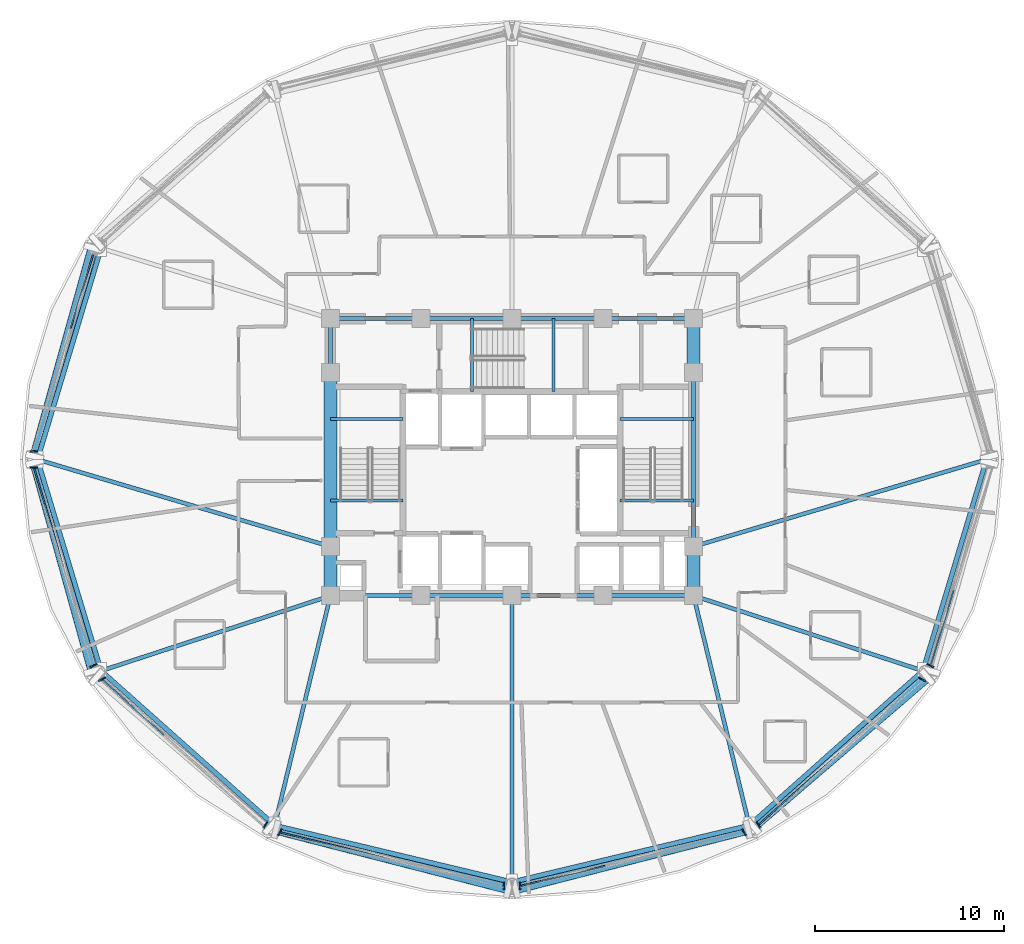
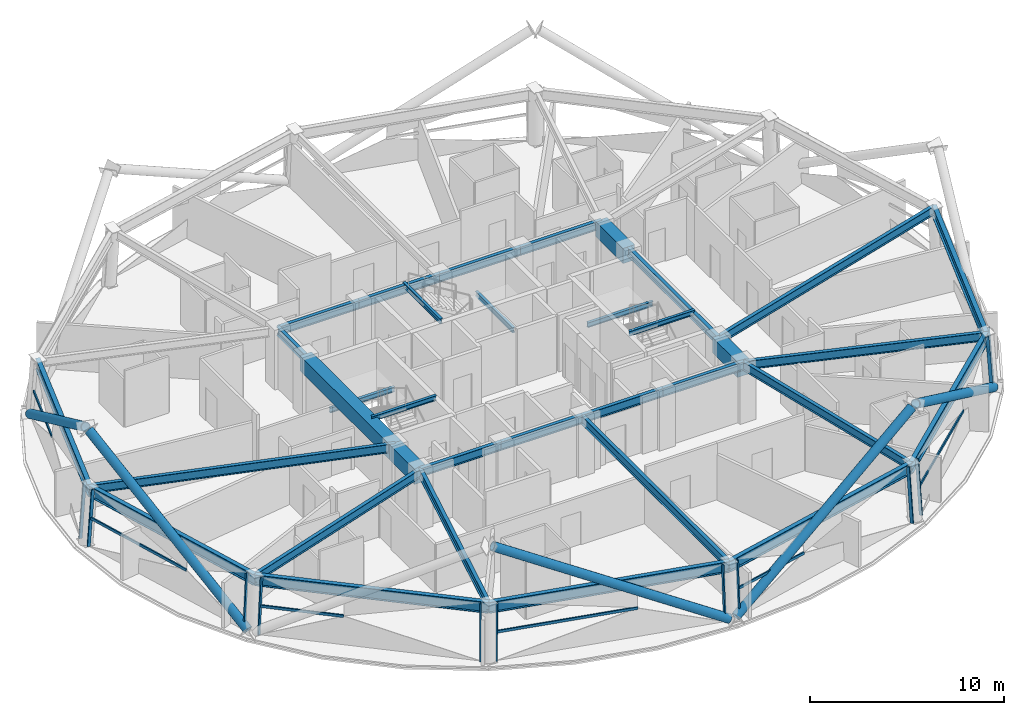
# One storey, part 2 of 13: 34 beams, 24 members, 7 elements without a shape of their own.
"""IFC4 building model written with IfcOpenShell, lengths in metres."""

from ifc_helpers import new_model, si_unit, direction, frame, origin, origin_2d, place, context, subcontext, project, spatial, rectangle, hollow_rectangle, hollow_circle, i_section, extrude, material, layer, layer_set, material_profile, profile_set, type_object, element, aggregate, save


model = new_model("IFC4")

# Units and contexts
model_context = context("Model", 3, precision=1e-05, world=origin(), true_north=direction((0.0, 1.0)))
body_context = subcontext(model_context, "Body", "Model", "MODEL_VIEW")
ifc_project = project(units=[si_unit("LENGTHUNIT", "METRE"), si_unit("AREAUNIT", "SQUARE_METRE"), si_unit("VOLUMEUNIT", "CUBIC_METRE"), si_unit("PLANEANGLEUNIT", "RADIAN"), si_unit("MASSUNIT", "GRAM", prefix="KILO")], contexts=[model_context])

# Site, building, storey
site_placement = place(None, origin())
site = spatial("IfcSite", under=ifc_project, at=site_placement, CompositionType="ELEMENT")
building_placement = place(site_placement, origin())
building = spatial("IfcBuilding", under=site, at=building_placement, Name="Vantalir Tower", CompositionType="ELEMENT")
storey_placement = place(building_placement, frame((0.0, 0.0, 127.199951171875)))
storey = spatial("IfcBuildingStorey", under=building, at=storey_placement, Name="L31", CompositionType="ELEMENT", Elevation=127.199951171875)

# Beams
ifc_material_1 = material(Name="Concrete C60/75", Category="concrete")
ifc_material_profile_1 = material_profile(ifc_material_1, rectangle(XDim=0.699951171875, YDim=0.949951171875, at=origin_2d()), Name="Concrete C60/75")
ifc_profile_set_1 = profile_set([ifc_material_profile_1], Name="Concrete C60/75")
beam_type_1 = type_object("IfcBeamType", Name="BM-CB-700x950", PredefinedType="USERDEFINED", material=ifc_profile_set_1)
beam_1_placement = place(storey_placement, frame((41.10009765625, 17.800048828125, 3.094970703125), z_axis=(0.0, 1.0, 0.0), x_axis=(-1.0, 0.0, 0.0)))
element("IfcBeam", 1, at=beam_1_placement, inside=storey, type_object=beam_type_1, Name="L31 Core Coupling Girder 05", ObjectType="GIRDER", PredefinedType="USERDEFINED", context=body_context, shape_type="SweptSolid", body=[
    extrude(rectangle(XDim=0.699951171875, YDim=0.949951171875, at=origin_2d()), origin(), (0.0, 0.0, 1.0), 2.599853515625),
])
beam_2_placement = place(storey_placement, frame((41.10009765625, 29.60009765625, 3.094970703125), z_axis=(0.0, 1.0, 0.0), x_axis=(-1.0, 0.0, 0.0)))
element("IfcBeam", 2, at=beam_2_placement, inside=storey, type_object=beam_type_1, Name="L31 Core Coupling Girder 07", ObjectType="GIRDER", PredefinedType="USERDEFINED", context=body_context, shape_type="SweptSolid", body=[
    extrude(rectangle(XDim=0.699951171875, YDim=0.949951171875, at=origin_2d()), origin(), (0.0, 0.0, 1.0), 2.849853515625),
])
beam_3_placement = place(storey_placement, frame((21.89990234375, 29.60009765625, 3.094970703125), z_axis=(0.0, -1.0, 0.0), x_axis=(1.0, 0.0, 0.0)))
element("IfcBeam", 3, at=beam_3_placement, inside=storey, type_object=beam_type_1, Name="L31 Core Coupling Girder 13", ObjectType="GIRDER", PredefinedType="USERDEFINED", context=body_context, shape_type="SweptSolid", body=[
    extrude(rectangle(XDim=0.699951171875, YDim=0.949951171875, at=origin_2d()), origin(), (0.0, 0.0, 1.0), 9.2001953125),
])
beam_4_placement = place(storey_placement, frame((21.89990234375, 20.39990234375, 3.094970703125), z_axis=(0.0, -1.0, 0.0), x_axis=(1.0, 0.0, 0.0)))
element("IfcBeam", 4, at=beam_4_placement, inside=storey, type_object=beam_type_1, Name="L31 Core Coupling Girder 14", ObjectType="GIRDER", PredefinedType="USERDEFINED", context=body_context, shape_type="SweptSolid", body=[
    extrude(rectangle(XDim=0.699951171875, YDim=0.949951171875, at=origin_2d()), origin(), (0.0, 0.0, 1.0), 2.599853515625),
])
ifc_material_2 = material(Name="Steel S355", Category="steel")
ifc_material_profile_2 = material_profile(ifc_material_2, i_section(OverallWidth=0.166015625, OverallDepth=0.306884765625, WebThickness=0.006591796875, FlangeThickness=0.01171875, at=origin_2d()), Name="Steel S355")
ifc_profile_set_2 = profile_set([ifc_material_profile_2], Name="Steel S355")
beam_type_2 = type_object("IfcBeamType", Name="BM-JS-305x165", PredefinedType="JOIST", material=ifc_profile_set_2)
for number, where, z_axis, x_axis, name in (
    (5, (21.89990234375, 22.8349609375, 3.595947265625), (1.0, 0.0, 0.0), (0.0, 1.0, 0.0), "L32 Stair ST1 Well Nosing Trimmer Beam"),
    (6, (21.89990234375, 27.14501953125, 1.52099609375), (1.0, 0.0, 0.0), (0.0, 1.0, 0.0), "L31 Stair ST1 Half-Landing Support Beam"),
):
    element("IfcBeam", number, at=place(storey_placement, frame(where, z_axis=z_axis, x_axis=x_axis)), inside=storey, type_object=beam_type_2, Name=name, PredefinedType="JOIST", context=body_context, shape_type="SweptSolid", body=[
        extrude(i_section(OverallWidth=0.166015625, OverallDepth=0.306884765625, WebThickness=0.006591796875, FlangeThickness=0.01171875, at=origin_2d()), origin(), (0.0, 0.0, 1.0), 3.840087890625),
    ])
for number, where, z_axis, x_axis, name in (
    (7, (37.2099609375, 22.8349609375, 3.595947265625), (1.0, 0.0, 0.0), (0.0, 1.0, 0.0), "L32 Stair ST2 Well Nosing Trimmer Beam"),
    (8, (37.2099609375, 27.14501953125, 1.52099609375), (1.0, 0.0, 0.0), (0.0, 1.0, 0.0), "L31 Stair ST2 Half-Landing Support Beam"),
):
    element("IfcBeam", number, at=place(storey_placement, frame(where, z_axis=z_axis, x_axis=x_axis)), inside=storey, type_object=beam_type_2, Name=name, PredefinedType="JOIST", context=body_context, shape_type="SweptSolid", body=[
        extrude(i_section(OverallWidth=0.166015625, OverallDepth=0.306884765625, WebThickness=0.006591796875, FlangeThickness=0.01171875, at=origin_2d()), origin(), (0.0, 0.0, 1.0), 3.89013671875),
    ])
for number, where, z_axis, x_axis, name in (
    (9, (29.385009765625, 28.60009765625, 3.595947265625), (0.0, 1.0, 0.0), (-1.0, 0.0, 0.0), "L32 Stair ST3 Well Nosing Trimmer Beam"),
    (10, (33.695068359375, 28.60009765625, 1.52099609375), (0.0, 1.0, 0.0), (-1.0, 0.0, 0.0), "L31 Stair ST3 Half-Landing Support Beam"),
):
    element("IfcBeam", number, at=place(storey_placement, frame(where, z_axis=z_axis, x_axis=x_axis)), inside=storey, type_object=beam_type_2, Name=name, PredefinedType="JOIST", context=body_context, shape_type="SweptSolid", body=[
        extrude(i_section(OverallWidth=0.166015625, OverallDepth=0.306884765625, WebThickness=0.006591796875, FlangeThickness=0.01171875, at=origin_2d()), origin(), (0.0, 0.0, 1.0), 3.849853515625),
    ])
ifc_material_profile_3 = material_profile(ifc_material_2, i_section(OverallWidth=0.2109375, OverallDepth=0.5390625, WebThickness=0.01171875, FlangeThickness=0.018798828125, at=origin_2d()), Name="Steel S355")
ifc_profile_set_3 = profile_set([ifc_material_profile_3], Name="Steel S355")
beam_type_3 = type_object("IfcBeamType", Name="BM-RB-533x210", PredefinedType="BEAM", material=ifc_profile_set_3)
for number, where, z_axis, x_axis, name in (
    (11, (21.89990234375, 17.800048828125, 3.301025390625), (1.0, 0.0, 0.0), (0.0, 1.0, 0.0), "L31 Core Coupling Girder 01"),
    (12, (26.699951171875, 17.800048828125, 3.301025390625), (1.0, 0.0, 0.0), (0.0, 1.0, 0.0), "L31 Core Coupling Girder 02"),
    (13, (31.5, 17.800048828125, 3.301025390625), (1.0, 0.0, 0.0), (0.0, 1.0, 0.0), "L31 Core Coupling Girder 03"),
    (14, (36.300048828125, 17.800048828125, 3.301025390625), (1.0, 0.0, 0.0), (0.0, 1.0, 0.0), "L31 Core Coupling Girder 04"),
):
    element("IfcBeam", number, at=place(storey_placement, frame(where, z_axis=z_axis, x_axis=x_axis)), inside=storey, type_object=beam_type_3, Name=name, PredefinedType="BEAM", context=body_context, shape_type="SweptSolid", body=[
        extrude(i_section(OverallWidth=0.2109375, OverallDepth=0.5390625, WebThickness=0.01171875, FlangeThickness=0.018798828125, at=origin_2d()), origin(), (0.0, 0.0, 1.0), 4.800048828125),
    ])
beam_5_placement = place(storey_placement, frame((41.10009765625, 20.39990234375, 3.301025390625), z_axis=(0.0, 1.0, 0.0), x_axis=(-1.0, 0.0, 0.0)))
element("IfcBeam", 15, at=beam_5_placement, inside=storey, type_object=beam_type_3, Name="L31 Core Coupling Girder 06", PredefinedType="BEAM", context=body_context, shape_type="SweptSolid", body=[
    extrude(i_section(OverallWidth=0.2109375, OverallDepth=0.5390625, WebThickness=0.01171875, FlangeThickness=0.018798828125, at=origin_2d()), origin(), (0.0, 0.0, 1.0), 9.2001953125),
])
for number, where, z_axis, x_axis, name in (
    (16, (41.10009765625, 32.449951171875, 3.301025390625), (-1.0, 0.0, 0.0), (0.0, -1.0, 0.0), "L31 Core Coupling Girder 08"),
    (17, (36.300048828125, 32.449951171875, 3.301025390625), (-1.0, 0.0, 0.0), (0.0, -1.0, 0.0), "L31 Core Coupling Girder 09"),
    (18, (31.5, 32.449951171875, 3.301025390625), (-1.0, 0.0, 0.0), (0.0, -1.0, 0.0), "L31 Core Coupling Girder 10"),
    (19, (26.699951171875, 32.449951171875, 3.301025390625), (-1.0, 0.0, 0.0), (0.0, -1.0, 0.0), "L31 Core Coupling Girder 11"),
):
    element("IfcBeam", number, at=place(storey_placement, frame(where, z_axis=z_axis, x_axis=x_axis)), inside=storey, type_object=beam_type_3, Name=name, PredefinedType="BEAM", context=body_context, shape_type="SweptSolid", body=[
        extrude(i_section(OverallWidth=0.2109375, OverallDepth=0.5390625, WebThickness=0.01171875, FlangeThickness=0.018798828125, at=origin_2d()), origin(), (0.0, 0.0, 1.0), 4.800048828125),
    ])
beam_6_placement = place(storey_placement, frame((21.89990234375, 32.449951171875, 3.301025390625), z_axis=(0.0, -1.0, 0.0), x_axis=(1.0, 0.0, 0.0)))
element("IfcBeam", 20, at=beam_6_placement, inside=storey, type_object=beam_type_3, Name="L31 Core Coupling Girder 12", PredefinedType="BEAM", context=body_context, shape_type="SweptSolid", body=[
    extrude(i_section(OverallWidth=0.2109375, OverallDepth=0.5390625, WebThickness=0.01171875, FlangeThickness=0.018798828125, at=origin_2d()), origin(), (0.0, 0.0, 1.0), 2.849853515625),
])
for number, where, z_axis, x_axis, name in (
    (21, (56.593017578125, 25.0, 3.301025390625), (-0.958636111149, -0.284634513722, 0.0), (0.284634513722, -0.958636111149, 0.0), "L31 Radial Floor Beam 01"),
    (22, (6.406982421875, 25.0, 3.301025390625), (0.958636111149, -0.284634513722, 0.0), (0.284634513722, 0.958636111149, 0.0), "L31 Radial Floor Beam 07"),
):
    element("IfcBeam", number, at=place(storey_placement, frame(where, z_axis=z_axis, x_axis=x_axis)), inside=storey, type_object=beam_type_3, Name=name, PredefinedType="BEAM", context=body_context, shape_type="SweptSolid", body=[
        extrude(i_section(OverallWidth=0.2109375, OverallDepth=0.5390625, WebThickness=0.01171875, FlangeThickness=0.018798828125, at=origin_2d()), origin(), (0.0, 0.0, 1.0), 16.161376953125),
    ])
beam_7_placement = place(storey_placement, frame((9.76904296875, 13.826904296875, 3.301025390625), z_axis=(0.950326586156, 0.311254525501, 0.0), x_axis=(-0.311254525501, 0.950326586156, 0.0)))
element("IfcBeam", 23, at=beam_7_placement, inside=storey, type_object=beam_type_3, Name="L31 Radial Floor Beam 08", PredefinedType="BEAM", context=body_context, shape_type="SweptSolid", body=[
    extrude(i_section(OverallWidth=0.2109375, OverallDepth=0.5390625, WebThickness=0.01171875, FlangeThickness=0.018798828125, at=origin_2d()), origin(), (0.0, 0.0, 1.0), 12.764892578125),
])
beam_8_placement = place(storey_placement, frame((18.952880859375, 5.64892578125, 3.301025390625), z_axis=(0.235697823561, 0.971826391887, 0.0), x_axis=(-0.971826391887, 0.235697823561, 0.0)))
element("IfcBeam", 24, at=beam_8_placement, inside=storey, type_object=beam_type_3, Name="L31 Radial Floor Beam 09", PredefinedType="BEAM", context=body_context, shape_type="SweptSolid", body=[
    extrude(i_section(OverallWidth=0.2109375, OverallDepth=0.5390625, WebThickness=0.01171875, FlangeThickness=0.018798828125, at=origin_2d()), origin(), (0.0, 0.0, 1.0), 12.50341796875),
])
beam_9_placement = place(storey_placement, frame((31.5, 2.655029296875, 3.301025390625), z_axis=(0.0, 1.0, 0.0), x_axis=(-1.0, 0.0, 0.0)))
element("IfcBeam", 25, at=beam_9_placement, inside=storey, type_object=beam_type_3, Name="L31 Radial Floor Beam 10", PredefinedType="BEAM", context=body_context, shape_type="SweptSolid", body=[
    extrude(i_section(OverallWidth=0.2109375, OverallDepth=0.5390625, WebThickness=0.01171875, FlangeThickness=0.018798828125, at=origin_2d()), origin(), (0.0, 0.0, 1.0), 15.14501953125),
])
beam_10_placement = place(storey_placement, frame((44.047119140625, 5.64892578125, 3.301025390625), z_axis=(-0.235697823561, 0.971826391887, 0.0), x_axis=(-0.971826391887, -0.235697823561, 0.0)))
element("IfcBeam", 26, at=beam_10_placement, inside=storey, type_object=beam_type_3, Name="L31 Radial Floor Beam 11", PredefinedType="BEAM", context=body_context, shape_type="SweptSolid", body=[
    extrude(i_section(OverallWidth=0.2109375, OverallDepth=0.5390625, WebThickness=0.01171875, FlangeThickness=0.018798828125, at=origin_2d()), origin(), (0.0, 0.0, 1.0), 12.50341796875),
])
beam_11_placement = place(storey_placement, frame((53.23095703125, 13.826904296875, 3.301025390625), z_axis=(-0.950326586156, 0.311254525501, 0.0), x_axis=(-0.311254525501, -0.950326586156, 0.0)))
element("IfcBeam", 27, at=beam_11_placement, inside=storey, type_object=beam_type_3, Name="L31 Radial Floor Beam 12", PredefinedType="BEAM", context=body_context, shape_type="SweptSolid", body=[
    extrude(i_section(OverallWidth=0.2109375, OverallDepth=0.5390625, WebThickness=0.01171875, FlangeThickness=0.018798828125, at=origin_2d()), origin(), (0.0, 0.0, 1.0), 12.764892578125),
])
ifc_material_3 = material(Name="Steel S460", Category="steel")
ifc_material_profile_4 = material_profile(ifc_material_3, i_section(OverallWidth=0.256103515625, OverallDepth=0.693115234375, WebThickness=0.014404296875, FlangeThickness=0.023681640625, at=origin_2d()), Name="Steel S460")
ifc_profile_set_4 = profile_set([ifc_material_profile_4], Name="Steel S460")
beam_type_4 = type_object("IfcBeamType", Name="BM-RG-686x254", PredefinedType="USERDEFINED", material=ifc_profile_set_4)
beam_12_placement = place(storey_placement, frame((9.76904296875, 36.172119140625, 3.22412109375), z_axis=(-0.288167529417, -0.957580009706, 0.0), x_axis=(0.957580009706, -0.288167529417, 0.0)))
element("IfcBeam", 28, at=beam_12_placement, inside=storey, type_object=beam_type_4, Name="L31 Circumferential Ring Girder 06", ObjectType="GIRDER", PredefinedType="USERDEFINED", context=body_context, shape_type="SweptSolid", body=[
    extrude(i_section(OverallWidth=0.256103515625, OverallDepth=0.693115234375, WebThickness=0.014404296875, FlangeThickness=0.023681640625, at=origin_2d()), origin(), (0.0, 0.0, 1.0), 11.6669921875),
])
beam_13_placement = place(storey_placement, frame((6.406982421875, 25.0, 3.22412109375), z_axis=(0.288144433967, -0.957586959588, 0.0), x_axis=(0.957586959588, 0.288144433967, 0.0)))
element("IfcBeam", 29, at=beam_13_placement, inside=storey, type_object=beam_type_4, Name="L31 Circumferential Ring Girder 07", ObjectType="GIRDER", PredefinedType="USERDEFINED", context=body_context, shape_type="SweptSolid", body=[
    extrude(i_section(OverallWidth=0.256103515625, OverallDepth=0.693115234375, WebThickness=0.014404296875, FlangeThickness=0.023681640625, at=origin_2d()), origin(), (0.0, 0.0, 1.0), 11.66796875),
])
beam_14_placement = place(storey_placement, frame((9.76904296875, 13.826904296875, 3.22412109375), z_axis=(0.746820820992, -0.665025308791, 0.0), x_axis=(0.665025308791, 0.746820820992, 0.0)))
element("IfcBeam", 30, at=beam_14_placement, inside=storey, type_object=beam_type_4, Name="L31 Circumferential Ring Girder 08", ObjectType="GIRDER", PredefinedType="USERDEFINED", context=body_context, shape_type="SweptSolid", body=[
    extrude(i_section(OverallWidth=0.256103515625, OverallDepth=0.693115234375, WebThickness=0.014404296875, FlangeThickness=0.023681640625, at=origin_2d()), origin(), (0.0, 0.0, 1.0), 12.29736328125),
])
for number, where, z_axis, x_axis, name in (
    (31, (18.952880859375, 5.64892578125, 3.22412109375), (0.972692782587, -0.232096425444, 0.0), (0.232096425444, 0.972692782587, 0.0), "L31 Circumferential Ring Girder 09"),
    (32, (31.5, 2.655029296875, 3.22412109375), (0.972692782587, 0.232096425444, 0.0), (-0.232096425444, 0.972692782587, 0.0), "L31 Circumferential Ring Girder 10"),
):
    element("IfcBeam", number, at=place(storey_placement, frame(where, z_axis=z_axis, x_axis=x_axis)), inside=storey, type_object=beam_type_4, Name=name, ObjectType="GIRDER", PredefinedType="USERDEFINED", context=body_context, shape_type="SweptSolid", body=[
        extrude(i_section(OverallWidth=0.256103515625, OverallDepth=0.693115234375, WebThickness=0.014404296875, FlangeThickness=0.023681640625, at=origin_2d()), origin(), (0.0, 0.0, 1.0), 12.8994140625),
    ])
beam_15_placement = place(storey_placement, frame((44.047119140625, 5.64892578125, 3.22412109375), z_axis=(0.746820820992, 0.665025308791, 0.0), x_axis=(-0.665025308791, 0.746820820992, 0.0)))
element("IfcBeam", 33, at=beam_15_placement, inside=storey, type_object=beam_type_4, Name="L31 Circumferential Ring Girder 11", ObjectType="GIRDER", PredefinedType="USERDEFINED", context=body_context, shape_type="SweptSolid", body=[
    extrude(i_section(OverallWidth=0.256103515625, OverallDepth=0.693115234375, WebThickness=0.014404296875, FlangeThickness=0.023681640625, at=origin_2d()), origin(), (0.0, 0.0, 1.0), 12.29736328125),
])
beam_16_placement = place(storey_placement, frame((53.23095703125, 13.826904296875, 3.22412109375), z_axis=(0.288144433967, 0.957586959588, 0.0), x_axis=(-0.957586959588, 0.288144433967, 0.0)))
element("IfcBeam", 34, at=beam_16_placement, inside=storey, type_object=beam_type_4, Name="L31 Circumferential Ring Girder 12", ObjectType="GIRDER", PredefinedType="USERDEFINED", context=body_context, shape_type="SweptSolid", body=[
    extrude(i_section(OverallWidth=0.256103515625, OverallDepth=0.693115234375, WebThickness=0.014404296875, FlangeThickness=0.023681640625, at=origin_2d()), origin(), (0.0, 0.0, 1.0), 11.66796875),
])

# Curtain wall, member
ifc_material_4 = material(Name="Champagne-silver PVDF aluminium and double-silver Low-E glass", Category="aluminium")
ifc_layer = layer(ifc_material_4, 0.199951171875)
ifc_layer_set = layer_set([ifc_layer], Name="Champagne-silver PVDF aluminium and double-silver Low-E glass")
curtain_wall_type = type_object("IfcCurtainWallType", Name="CW-DIAMOND-Z2", PredefinedType="USERDEFINED", material=ifc_layer_set)
curtain_wall_1_placement = place(storey_placement, origin())
curtain_wall_1 = element("IfcCurtainWall", 35, at=curtain_wall_1_placement, inside=storey, type_object=curtain_wall_type, Name="L31 Quilted Pyramid-Diamond Curtain Wall S06", ObjectType="UNITISED CURTAIN WALL", PredefinedType="USERDEFINED")
ifc_material_5 = material(Name="Champagne-silver PVDF aluminium 6063-T6", Category="aluminium")
ifc_material_profile_5 = material_profile(ifc_material_5, hollow_rectangle(XDim=0.074951171875, YDim=0.179931640625, WallThickness=0.00390625, at=origin_2d()), Name="Champagne-silver PVDF aluminium 6063-T6")
ifc_profile_set_5 = profile_set([ifc_material_profile_5], Name="Champagne-silver PVDF aluminium 6063-T6")
member_type_1 = type_object("IfcMemberType", Name="CWM-180x75", PredefinedType="MULLION", material=ifc_profile_set_5)
member_1_placement = place(storey_placement, frame((6.096923828125, 25.4208984375, 0.045166015625), z_axis=(0.070819350884, 0.0, 0.997489157605), x_axis=(0.0, 1.0, 0.0)))
member_1 = element("IfcMember", 36, at=member_1_placement, type_object=member_type_1, Name="CW-L31-S06 Mullion 2", PredefinedType="MULLION", context=body_context, shape_type="SweptSolid", body=[
    extrude(hollow_rectangle(XDim=0.074951171875, YDim=0.179931640625, WallThickness=0.00390625, at=origin_2d()), origin(), (0.0, 0.0, 1.0), 3.48876953125),
])

# Curtain wall, members
curtain_wall_2_placement = place(storey_placement, origin())
curtain_wall_2 = element("IfcCurtainWall", 37, at=curtain_wall_2_placement, inside=storey, type_object=curtain_wall_type, Name="L31 Quilted Pyramid-Diamond Curtain Wall S07", ObjectType="UNITISED CURTAIN WALL", PredefinedType="USERDEFINED")
member_2_placement = place(storey_placement, frame((6.096923828125, 24.5791015625, 0.045166015625), z_axis=(0.070819350884, 0.0, 0.997489157605), x_axis=(0.0, 1.0, 0.0)))
member_2 = element("IfcMember", 38, at=member_2_placement, type_object=member_type_1, Name="CW-L31-S07 Mullion 1", PredefinedType="MULLION", context=body_context, shape_type="SweptSolid", body=[
    extrude(hollow_rectangle(XDim=0.074951171875, YDim=0.179931640625, WallThickness=0.00390625, at=origin_2d()), origin(), (0.0, 0.0, 1.0), 3.48876953125),
])
member_3_placement = place(storey_placement, frame((9.262939453125, 14.04296875, 0.045166015625), z_axis=(0.061379863173, 0.031564787105, 0.997615244777), x_axis=(-0.457325100357, 0.889299585395, 0.0)))
member_3 = element("IfcMember", 39, at=member_3_placement, type_object=member_type_1, Name="CW-L31-S07 Mullion 2", PredefinedType="MULLION", context=body_context, shape_type="SweptSolid", body=[
    extrude(hollow_rectangle(XDim=0.074951171875, YDim=0.179931640625, WallThickness=0.00390625, at=origin_2d()), origin(), (0.0, 0.0, 1.0), 3.48828125),
])

curtain_wall_3_placement = place(storey_placement, origin())
curtain_wall_3 = element("IfcCurtainWall", 40, at=curtain_wall_3_placement, inside=storey, type_object=curtain_wall_type, Name="L31 Quilted Pyramid-Diamond Curtain Wall S08", ObjectType="UNITISED CURTAIN WALL", PredefinedType="USERDEFINED")
member_4_placement = place(storey_placement, frame((9.718017578125, 13.3291015625, 0.045166015625), z_axis=(0.061310273259, 0.031495003387, 0.997621729492), x_axis=(-0.456934981397, 0.88950009712, 0.0)))
member_4 = element("IfcMember", 41, at=member_4_placement, type_object=member_type_1, Name="CW-L31-S08 Mullion 1", PredefinedType="MULLION", context=body_context, shape_type="SweptSolid", body=[
    extrude(hollow_rectangle(XDim=0.074951171875, YDim=0.179931640625, WallThickness=0.00390625, at=origin_2d()), origin(), (0.0, 0.0, 1.0), 3.48828125),
])
member_5_placement = place(storey_placement, frame((18.406982421875, 5.5859375, 0.045166015625), z_axis=(0.035283286034, 0.054815105089, 0.997872934787), x_axis=(-0.840864304793, 0.541245989292, 0.0)))
member_5 = element("IfcMember", 42, at=member_5_placement, type_object=member_type_1, Name="CW-L31-S08 Mullion 2", PredefinedType="MULLION", context=body_context, shape_type="SweptSolid", body=[
    extrude(hollow_rectangle(XDim=0.074951171875, YDim=0.179931640625, WallThickness=0.00390625, at=origin_2d()), origin(), (0.0, 0.0, 1.0), 3.4873046875),
])

curtain_wall_4_placement = place(storey_placement, origin())
curtain_wall_4 = element("IfcCurtainWall", 43, at=curtain_wall_4_placement, inside=storey, type_object=curtain_wall_type, Name="L31 Quilted Pyramid-Diamond Curtain Wall S09", ObjectType="UNITISED CURTAIN WALL", PredefinedType="USERDEFINED")
member_6_placement = place(storey_placement, frame((19.1630859375, 5.19091796875, 0.045166015625), z_axis=(0.035213366407, 0.054815240352, 0.997875397157), x_axis=(-0.841352993355, 0.540486022551, 0.0)))
member_6 = element("IfcMember", 44, at=member_6_placement, type_object=member_type_1, Name="CW-L31-S09 Mullion 1", PredefinedType="MULLION", context=body_context, shape_type="SweptSolid", body=[
    extrude(hollow_rectangle(XDim=0.074951171875, YDim=0.179931640625, WallThickness=0.00390625, at=origin_2d()), origin(), (0.0, 0.0, 1.0), 3.4873046875),
])
member_7_placement = place(storey_placement, frame((31.072021484375, 2.345947265625, 0.045166015625), z_axis=(0.0, 0.063363366299, 0.997990522907), x_axis=(-1.0, 0.0, 0.0)))
member_7 = element("IfcMember", 45, at=member_7_placement, type_object=member_type_1, Name="CW-L31-S09 Mullion 2", PredefinedType="MULLION", context=body_context, shape_type="SweptSolid", body=[
    extrude(hollow_rectangle(XDim=0.074951171875, YDim=0.179931640625, WallThickness=0.00390625, at=origin_2d()), origin(), (0.0, 0.0, 1.0), 3.487060546875),
])

curtain_wall_5_placement = place(storey_placement, origin())
curtain_wall_5 = element("IfcCurtainWall", 46, at=curtain_wall_5_placement, inside=storey, type_object=curtain_wall_type, Name="L31 Quilted Pyramid-Diamond Curtain Wall S10", ObjectType="UNITISED CURTAIN WALL", PredefinedType="USERDEFINED")
member_8_placement = place(storey_placement, frame((31.927978515625, 2.345947265625, 0.045166015625), z_axis=(0.0, 0.063363366299, 0.997990522907), x_axis=(-1.0, 0.0, 0.0)))
member_8 = element("IfcMember", 47, at=member_8_placement, type_object=member_type_1, Name="CW-L31-S10 Mullion 1", PredefinedType="MULLION", context=body_context, shape_type="SweptSolid", body=[
    extrude(hollow_rectangle(XDim=0.074951171875, YDim=0.179931640625, WallThickness=0.00390625, at=origin_2d()), origin(), (0.0, 0.0, 1.0), 3.487060546875),
])
member_9_placement = place(storey_placement, frame((43.8369140625, 5.19091796875, 0.045166015625), z_axis=(-0.035213366407, 0.054815240352, 0.997875397157), x_axis=(-0.841352993355, -0.540486022551, 0.0)))
member_9 = element("IfcMember", 48, at=member_9_placement, type_object=member_type_1, Name="CW-L31-S10 Mullion 2", PredefinedType="MULLION", context=body_context, shape_type="SweptSolid", body=[
    extrude(hollow_rectangle(XDim=0.074951171875, YDim=0.179931640625, WallThickness=0.00390625, at=origin_2d()), origin(), (0.0, 0.0, 1.0), 3.4873046875),
])

curtain_wall_6_placement = place(storey_placement, origin())
curtain_wall_6 = element("IfcCurtainWall", 49, at=curtain_wall_6_placement, inside=storey, type_object=curtain_wall_type, Name="L31 Quilted Pyramid-Diamond Curtain Wall S11", ObjectType="UNITISED CURTAIN WALL", PredefinedType="USERDEFINED")
member_10_placement = place(storey_placement, frame((44.593017578125, 5.5859375, 0.045166015625), z_axis=(-0.035283286034, 0.054815105089, 0.997872934787), x_axis=(-0.840864304793, -0.541245989292, 0.0)))
member_10 = element("IfcMember", 50, at=member_10_placement, type_object=member_type_1, Name="CW-L31-S11 Mullion 1", PredefinedType="MULLION", context=body_context, shape_type="SweptSolid", body=[
    extrude(hollow_rectangle(XDim=0.074951171875, YDim=0.179931640625, WallThickness=0.00390625, at=origin_2d()), origin(), (0.0, 0.0, 1.0), 3.4873046875),
])
member_11_placement = place(storey_placement, frame((53.281982421875, 13.3291015625, 0.045166015625), z_axis=(-0.061310273259, 0.031495003387, 0.997621729492), x_axis=(-0.456934981397, -0.88950009712, 0.0)))
member_11 = element("IfcMember", 51, at=member_11_placement, type_object=member_type_1, Name="CW-L31-S11 Mullion 2", PredefinedType="MULLION", context=body_context, shape_type="SweptSolid", body=[
    extrude(hollow_rectangle(XDim=0.074951171875, YDim=0.179931640625, WallThickness=0.00390625, at=origin_2d()), origin(), (0.0, 0.0, 1.0), 3.48828125),
])

# Curtain wall, member
curtain_wall_7_placement = place(storey_placement, origin())
curtain_wall_7 = element("IfcCurtainWall", 52, at=curtain_wall_7_placement, inside=storey, type_object=curtain_wall_type, Name="L31 Quilted Pyramid-Diamond Curtain Wall S12", ObjectType="UNITISED CURTAIN WALL", PredefinedType="USERDEFINED")
member_12_placement = place(storey_placement, frame((53.737060546875, 14.04296875, 0.045166015625), z_axis=(-0.061379863173, 0.031564787105, 0.997615244777), x_axis=(-0.457325100357, -0.889299585395, 0.0)))
member_12 = element("IfcMember", 53, at=member_12_placement, type_object=member_type_1, Name="CW-L31-S12 Mullion 1", PredefinedType="MULLION", context=body_context, shape_type="SweptSolid", body=[
    extrude(hollow_rectangle(XDim=0.074951171875, YDim=0.179931640625, WallThickness=0.00390625, at=origin_2d()), origin(), (0.0, 0.0, 1.0), 3.48828125),
])

# Member
ifc_material_profile_6 = material_profile(ifc_material_5, hollow_rectangle(XDim=0.074951171875, YDim=0.159912109375, WallThickness=0.00390625, at=origin_2d()), Name="Champagne-silver PVDF aluminium 6063-T6")
ifc_profile_set_6 = profile_set([ifc_material_profile_6], Name="Champagne-silver PVDF aluminium 6063-T6")
member_type_2 = type_object("IfcMemberType", Name="CWT-160x75", PredefinedType="USERDEFINED", material=ifc_profile_set_6)
member_13_placement = place(storey_placement, frame((9.3701171875, 35.90087890625, 1.78515625), z_axis=(-0.293466879709, -0.955969241406, 0.0), x_axis=(0.955969241406, -0.293466879709, 0.0)))
member_13 = element("IfcMember", 54, at=member_13_placement, type_object=member_type_2, Name="CW-L31-S06 Pyramid Fold Ridge Transom", ObjectType="TRANSOM", PredefinedType="USERDEFINED", context=body_context, shape_type="SweptSolid", body=[
    extrude(hollow_rectangle(XDim=0.074951171875, YDim=0.159912109375, WallThickness=0.00390625, at=origin_2d()), origin(), (0.0, 0.0, 1.0), 4.157958984375),
])

aggregate(curtain_wall_1, [member_1, member_13])

member_14_placement = place(storey_placement, frame((6.219970703125, 24.5791015625, 1.78515625), z_axis=(0.284425203205, -0.958698233952, 0.0), x_axis=(0.958698233952, 0.284425203205, 0.0)))
member_14 = element("IfcMember", 55, at=member_14_placement, type_object=member_type_2, Name="CW-L31-S07 Pyramid Fold Ridge Transom", ObjectType="TRANSOM", PredefinedType="USERDEFINED", context=body_context, shape_type="SweptSolid", body=[
    extrude(hollow_rectangle(XDim=0.074951171875, YDim=0.159912109375, WallThickness=0.00390625, at=origin_2d()), origin(), (0.0, 0.0, 1.0), 6.785400390625),
])

aggregate(curtain_wall_2, [member_2, member_3, member_14])

member_15_placement = place(storey_placement, frame((9.824951171875, 13.384033203125, 1.78515625), z_axis=(0.742995820714, -0.669296055869, 0.0), x_axis=(0.669296055869, 0.742995820714, 0.0)))
member_15 = element("IfcMember", 56, at=member_15_placement, type_object=member_type_2, Name="CW-L31-S08 Pyramid Fold Ridge Transom", ObjectType="TRANSOM", PredefinedType="USERDEFINED", context=body_context, shape_type="SweptSolid", body=[
    extrude(hollow_rectangle(XDim=0.074951171875, YDim=0.159912109375, WallThickness=0.00390625, at=origin_2d()), origin(), (0.0, 0.0, 1.0), 4.395751953125),
])

aggregate(curtain_wall_3, [member_4, member_5, member_15])

member_16_placement = place(storey_placement, frame((19.22412109375, 5.285888671875, 1.78515625), z_axis=(0.971933029373, -0.235257702134, 0.0), x_axis=(0.235257702134, 0.971933029373, 0.0)))
member_16 = element("IfcMember", 57, at=member_16_placement, type_object=member_type_2, Name="CW-L31-S09 Pyramid Fold Ridge Transom", ObjectType="TRANSOM", PredefinedType="USERDEFINED", context=body_context, shape_type="SweptSolid", body=[
    extrude(hollow_rectangle(XDim=0.074951171875, YDim=0.159912109375, WallThickness=0.00390625, at=origin_2d()), origin(), (0.0, 0.0, 1.0), 7.552734375),
])

aggregate(curtain_wall_4, [member_6, member_7, member_16])

member_17_placement = place(storey_placement, frame((31.927978515625, 2.45703125, 1.78515625), z_axis=(0.973824475954, 0.227301319911, 0.0), x_axis=(-0.227301319911, 0.973824475954, 0.0)))
member_17 = element("IfcMember", 58, at=member_17_placement, type_object=member_type_2, Name="CW-L31-S10 Pyramid Fold Ridge Transom", ObjectType="TRANSOM", PredefinedType="USERDEFINED", context=body_context, shape_type="SweptSolid", body=[
    extrude(hollow_rectangle(XDim=0.074951171875, YDim=0.159912109375, WallThickness=0.00390625, at=origin_2d()), origin(), (0.0, 0.0, 1.0), 4.628173828125),
])

aggregate(curtain_wall_5, [member_8, member_9, member_17])

member_18_placement = place(storey_placement, frame((44.531982421875, 5.680908203125, 1.78515625), z_axis=(0.748688925701, 0.662921482932, 0.0), x_axis=(-0.662921482932, 0.748688925701, 0.0)))
member_18 = element("IfcMember", 59, at=member_18_placement, type_object=member_type_2, Name="CW-L31-S11 Pyramid Fold Ridge Transom", ObjectType="TRANSOM", PredefinedType="USERDEFINED", context=body_context, shape_type="SweptSolid", body=[
    extrude(hollow_rectangle(XDim=0.074951171875, YDim=0.159912109375, WallThickness=0.00390625, at=origin_2d()), origin(), (0.0, 0.0, 1.0), 7.181884765625),
])

aggregate(curtain_wall_6, [member_10, member_11, member_18])

member_19_placement = place(storey_placement, frame((53.6298828125, 14.097900390625, 1.78515625), z_axis=(0.293384538028, 0.955994515071, 0.0), x_axis=(-0.955994515071, 0.293384538028, 0.0)))
member_19 = element("IfcMember", 60, at=member_19_placement, type_object=member_type_2, Name="CW-L31-S12 Pyramid Fold Ridge Transom", ObjectType="TRANSOM", PredefinedType="USERDEFINED", context=body_context, shape_type="SweptSolid", body=[
    extrude(hollow_rectangle(XDim=0.074951171875, YDim=0.159912109375, WallThickness=0.00390625, at=origin_2d()), origin(), (0.0, 0.0, 1.0), 4.1591796875),
])

aggregate(curtain_wall_7, [member_12, member_19])

# Members
ifc_material_profile_7 = material_profile(ifc_material_3, hollow_circle(Radius=0.260009765625, WallThickness=0.0380859375, at=origin_2d()), Name="Steel S460")
ifc_profile_set_7 = profile_set([ifc_material_profile_7], Name="Steel S460")
member_type_3 = type_object("IfcMemberType", Name="MEM-DB-520x38", PredefinedType="BRACE", material=ifc_profile_set_7)
for number, where, z_axis, x_axis, name in (
    (61, (9.339111328125, 36.197021484375, 0.194091796875), (-0.229645196485, -0.823757894569, 0.518349317417), (0.963269147263, -0.268537799819, 0.0), "L31 Perimeter S460 Diagrid Brace R16L"),
    (62, (9.339111328125, 13.802978515625, 0.194091796875), (-0.229645196485, 0.823757894569, 0.518349317417), (-0.963269147263, -0.268537799819, 0.0), "L31 Perimeter S460 Diagrid Brace R22R"),
):
    element("IfcMember", number, at=place(storey_placement, frame(where, z_axis=z_axis, x_axis=x_axis)), inside=storey, type_object=member_type_3, Name=name, PredefinedType="BRACE", context=body_context, shape_type="SweptSolid", body=[
        extrude(hollow_circle(Radius=0.260009765625, WallThickness=0.0380859375, at=origin_2d()), origin(), (0.0, 0.0, 1.0), 13.373046875),
    ])
for number, where, z_axis, x_axis, name in (
    (63, (31.68701171875, 2.2919921875, 0.18603515625), (0.849280536795, 0.217652432892, 0.480988553167), (-0.248255687522, 0.968694540922, 0.0), "L31 Perimeter S460 Diagrid Brace R28L"),
    (64, (31.31298828125, 2.2919921875, 0.18603515625), (-0.849280536795, 0.217652432892, 0.480988553167), (-0.248255687522, -0.968694540922, 0.0), "L31 Perimeter S460 Diagrid Brace R28R"),
):
    element("IfcMember", number, at=place(storey_placement, frame(where, z_axis=z_axis, x_axis=x_axis)), inside=storey, type_object=member_type_3, Name=name, PredefinedType="BRACE", context=body_context, shape_type="SweptSolid", body=[
        extrude(hollow_circle(Radius=0.260009765625, WallThickness=0.0380859375, at=origin_2d()), origin(), (0.0, 0.0, 1.0), 14.4453125),
    ])
member_20_placement = place(storey_placement, frame((53.465087890625, 13.498046875, 0.18896484375), z_axis=(-0.657783846671, -0.565484487982, 0.497541661482), x_axis=(0.65190034448, -0.758304649113, 0.0)))
element("IfcMember", 65, at=member_20_placement, inside=storey, type_object=member_type_3, Name="L31 Perimeter S460 Diagrid Brace R34R", PredefinedType="BRACE", context=body_context, shape_type="SweptSolid", body=[
    extrude(hollow_circle(Radius=0.260009765625, WallThickness=0.0380859375, at=origin_2d()), origin(), (0.0, 0.0, 1.0), 13.952880859375),
])

save(model, "model.ifc")
